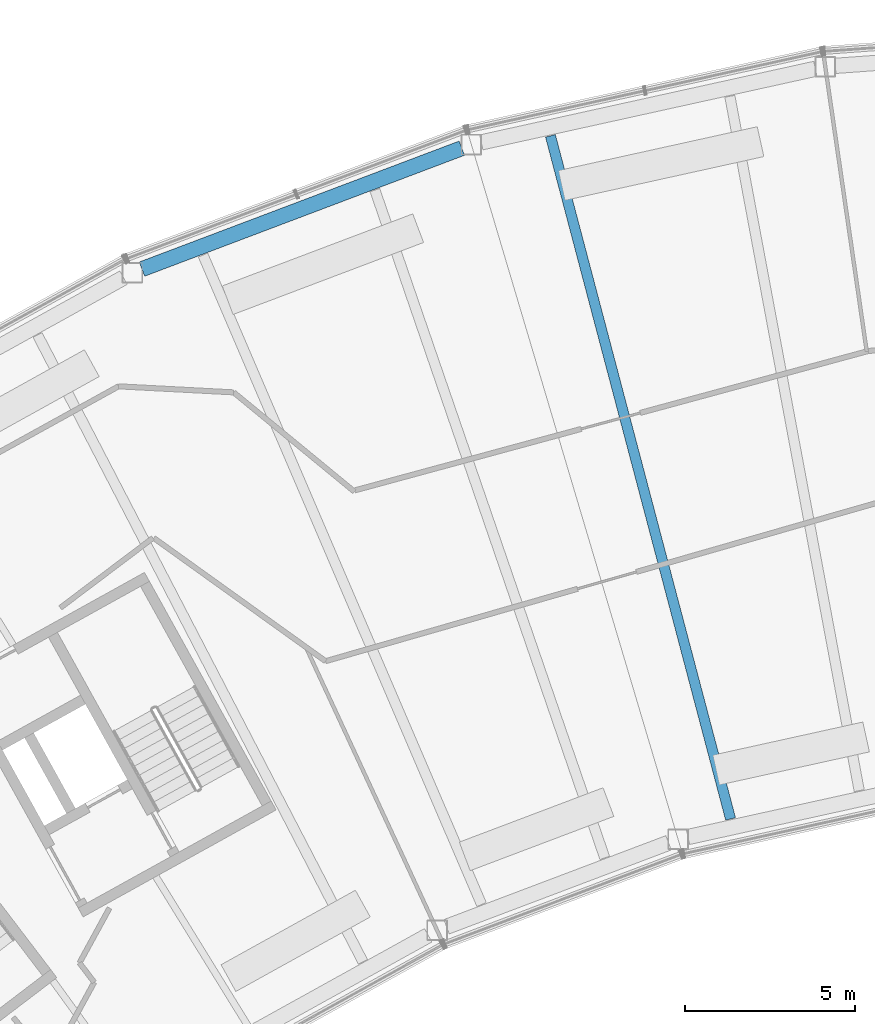
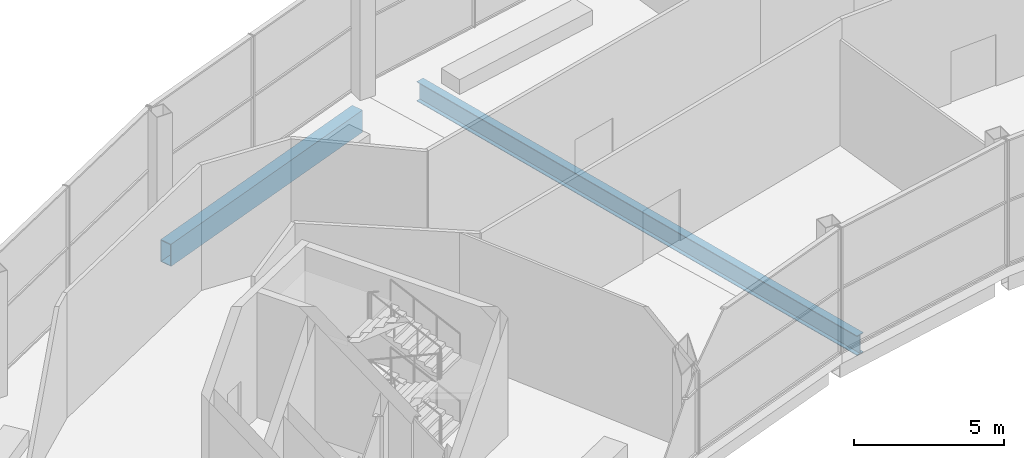
# One storey, part 15 of 43: 2 beams.
"""IFC4 building model written with IfcOpenShell, lengths in metres."""

from ifc_helpers import new_model, si_unit, direction, frame, origin, origin_2d, place, context, subcontext, project, spatial, hollow_rectangle, i_section, extrude, material, material_profile, profile_set, type_object, element, save


model = new_model("IFC4")

# Units and contexts
model_context = context("Model", 3, precision=1e-05, world=origin(), true_north=direction((0.0, 1.0)))
body_context = subcontext(model_context, "Body", "Model", "MODEL_VIEW")
ifc_project = project(units=[si_unit("LENGTHUNIT", "METRE"), si_unit("AREAUNIT", "SQUARE_METRE"), si_unit("VOLUMEUNIT", "CUBIC_METRE"), si_unit("PLANEANGLEUNIT", "RADIAN"), si_unit("MASSUNIT", "GRAM", prefix="KILO")], contexts=[model_context])

# Site, building, storey
site_placement = place(None, origin())
site = spatial("IfcSite", under=ifc_project, at=site_placement, CompositionType="ELEMENT")
building_placement = place(site_placement, origin())
building = spatial("IfcBuilding", under=site, at=building_placement, Name="Tuul Gate Civic Tower", CompositionType="ELEMENT")
storey_placement = place(building_placement, frame((0.0, 0.0, 349.10009765625)))
storey = spatial("IfcBuildingStorey", under=building, at=storey_placement, Name="Observation level 1", CompositionType="ELEMENT", Elevation=349.10009765625)

# Beams
ifc_material_1 = material(Name="Steel S355", Category="steel")
ifc_material_profile_1 = material_profile(ifc_material_1, i_section(OverallWidth=0.300048828125, OverallDepth=0.800048828125, WebThickness=0.013916015625, FlangeThickness=0.02490234375, at=origin_2d()), Name="PG800x300x14x25")
ifc_profile_set_1 = profile_set([ifc_material_profile_1], Name="Steel S355")
beam_type_1 = type_object("IfcBeamType", Name="STR-FLOOR BEAM-PG800x300x14x25", PredefinedType="BEAM", material=ifc_profile_set_1)
beam_1_placement = place(storey_placement, frame((-11.24658203125, -9.11328125, -0.800048828125), z_axis=(-0.255002430405, 0.966940412067, 0.0), x_axis=(-0.966940412067, -0.255002430405, 0.0)))
element("IfcBeam", 1, at=beam_1_placement, inside=storey, type_object=beam_type_1, Name="Floor beam", PredefinedType="BEAM", context=body_context, shape_type="SweptSolid", body=[
    extrude(i_section(OverallWidth=0.300048828125, OverallDepth=0.800048828125, WebThickness=0.013916015625, FlangeThickness=0.02490234375, at=origin_2d()), origin(), (0.0, 0.0, 1.0), 20.81689453125),
])
ifc_material_2 = material(Name="Steel S355", Category="steel")
ifc_material_profile_2 = material_profile(ifc_material_2, hollow_rectangle(XDim=0.449951171875, YDim=0.89990234375, WallThickness=0.02490234375, at=origin_2d()), Name="BOX900x450x25")
ifc_profile_set_2 = profile_set([ifc_material_profile_2], Name="Steel S355")
beam_type_2 = type_object("IfcBeamType", Name="STR-SPANDREL BEAM-BOX900x450x25", PredefinedType="BEAM", material=ifc_profile_set_2)
beam_2_placement = place(storey_placement, frame((-19.16552734375, 10.65185546875, -0.85009765625), z_axis=(-0.935377903805, -0.353649794391, 0.0), x_axis=(0.353649794391, -0.935377903805, 0.0)))
element("IfcBeam", 2, at=beam_2_placement, inside=storey, type_object=beam_type_2, Name="Spandrel beam", PredefinedType="BEAM", context=body_context, shape_type="SweptSolid", body=[
    extrude(hollow_rectangle(XDim=0.449951171875, YDim=0.89990234375, WallThickness=0.02490234375, at=origin_2d()), origin(), (0.0, 0.0, 1.0), 10.076904296875),
])

save(model, "model.ifc")
